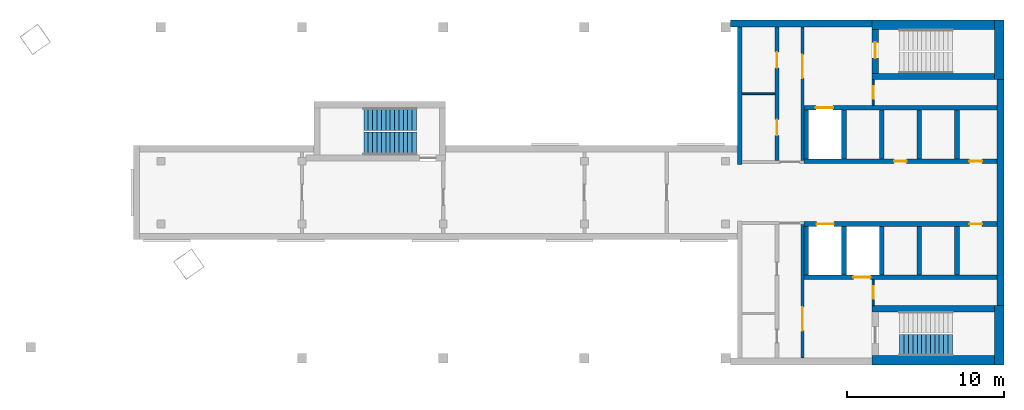
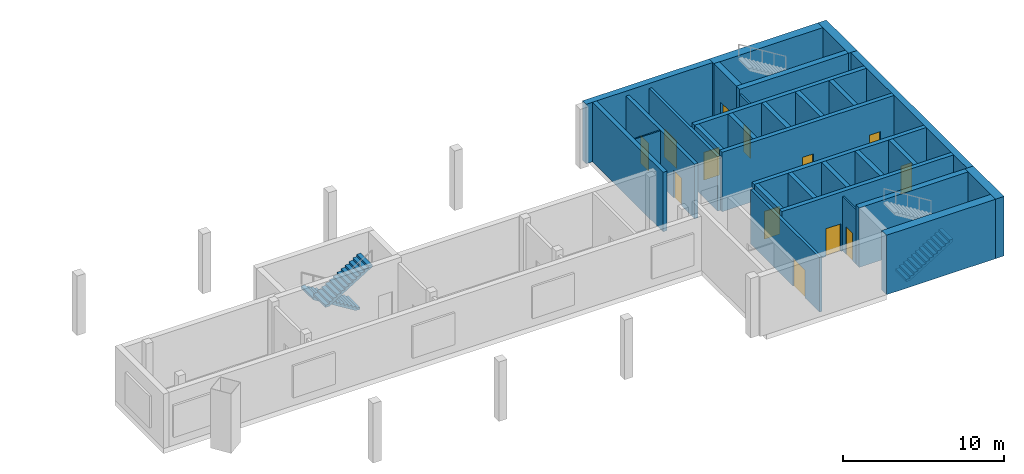
# One storey, part 2 of 4: 30 walls, 13 doors, 3 stair flights, 13 openings, 2 elements without a shape of their own.
"""IFC4 building model written with IfcOpenShell, lengths in metres."""

import ifcopenshell
import ifcopenshell.guid

model = None  # the IFC model being written
_history = None  # IfcOwnerHistory: only IFC2X3 demands one
_inside = {}  # id of a spatial element -> (the spatial element, [elements in it])
_under = {}  # id of a project, library or spatial element -> (it, [spatial elements below it])
_declared = {}  # id of a project -> (the project, [libraries it declares])
_typed = {}  # id of a type object -> (the type object, [elements of that type])
_made_of = {}  # id of a material, layer set ... -> (it, [elements and type objects made of it])


def new_model(schema):
    """Start an empty IFC model of exactly this schema.

    Asked for "IFC4X3", IfcOpenShell would pick the latest addendum, in which some entities
    have other attributes; the version numbers below select the first issue.
    IFC2X3 requires an IfcOwnerHistory on every rooted entity: one is made here for all.
    """
    global model, _history
    if schema == "IFC4X3":
        model = ifcopenshell.file(schema_version=(4, 3, 0, 0))
    else:
        model = ifcopenshell.file(schema=schema)
    _inside.clear()
    _under.clear()
    _declared.clear()
    _typed.clear()
    _made_of.clear()
    _history = None
    if model.schema == "IFC2X3":
        org = make("IfcOrganization", Name="unknown")
        user = make(
            "IfcPersonAndOrganization",
            ThePerson=make("IfcPerson", FamilyName="unknown"),
            TheOrganization=org,
        )
        app = make(
            "IfcApplication",
            ApplicationDeveloper=org,
            Version="unknown",
            ApplicationFullName="unknown",
            ApplicationIdentifier="unknown",
        )
        _history = make(
            "IfcOwnerHistory",
            OwningUser=user,
            OwningApplication=app,
            ChangeAction="ADDED",
            CreationDate=0,
        )
    return model


def make(cls, **values):
    """One entity of the class cls with the attributes given. An attribute that is None is left unset."""
    return model.create_entity(
        cls, **{name: value for name, value in values.items() if value is not None}
    )


def rooted(cls, **values):
    """An entity with a GlobalId (a new one), such as an element, a storey or a relation."""
    return make(cls, GlobalId=ifcopenshell.guid.new(), OwnerHistory=_history, **values)


def si_unit(unit_type, name, prefix=None):
    """IfcSIUnit, for example si_unit("LENGTHUNIT", "METRE", prefix="MILLI")."""
    return make("IfcSIUnit", UnitType=unit_type, Prefix=prefix, Name=name)


def assignment(units):
    """IfcUnitAssignment: the units of a project."""
    return None if units is None else make("IfcUnitAssignment", Units=units)


def point(xyz):
    """IfcCartesianPoint."""
    return None if xyz is None else make("IfcCartesianPoint", Coordinates=xyz)


def direction(xyz):
    """IfcDirection."""
    return None if xyz is None else make("IfcDirection", DirectionRatios=xyz)


def frame(location, z_axis=None, x_axis=None):
    """IfcAxis2Placement3D, a coordinate frame: its origin and axes. An axis left out is left unset."""
    return make(
        "IfcAxis2Placement3D",
        Location=point(location),
        Axis=direction(z_axis),
        RefDirection=direction(x_axis),
    )


def frame_2d(location, x_axis=None):
    """IfcAxis2Placement2D, a coordinate frame in the plane: its origin and x axis."""
    return make(
        "IfcAxis2Placement2D", Location=point(location), RefDirection=direction(x_axis)
    )


def origin():
    """The frame at (0, 0, 0) with its axes left unset."""
    return frame((0.0, 0.0, 0.0))


def place(relative_to, where):
    """IfcLocalPlacement: puts the frame where relative to a parent placement (None: the world)."""
    return make(
        "IfcLocalPlacement", PlacementRelTo=relative_to, RelativePlacement=where
    )


def context(
    kind, dimensions, precision=None, world=None, true_north=None, identifier=None
):
    """IfcGeometricRepresentationContext, for example the 3D "Model" context."""
    return make(
        "IfcGeometricRepresentationContext",
        ContextIdentifier=identifier,
        ContextType=kind,
        CoordinateSpaceDimension=dimensions,
        Precision=precision,
        WorldCoordinateSystem=world,
        TrueNorth=true_north,
    )


def subcontext(parent, identifier, kind, view, scale=None):
    """IfcGeometricRepresentationSubContext, for example "Body" below "Model"."""
    return make(
        "IfcGeometricRepresentationSubContext",
        ContextIdentifier=identifier,
        ContextType=kind,
        ParentContext=parent,
        TargetScale=scale,
        TargetView=view,
    )


def project(units=None, contexts=None):
    """IfcProject with its units and contexts."""
    return rooted(
        "IfcProject",
        Name="project",
        RepresentationContexts=contexts,
        UnitsInContext=assignment(units),
    )


def spatial(cls, under=None, at=None, **own):
    """A site, building, storey or space (cls), placed at a placement, below another one or the project."""
    s = rooted(cls, ObjectPlacement=at, **own)
    if under is not None:
        _under.setdefault(under.id(), (under, []))[1].append(s)
    return s


def polyline(points):
    """IfcPolyline through the points."""
    return make("IfcPolyline", Points=[point(p) for p in points])


def profile(cls, at=None, kind="AREA", **sizes):
    """A parametric profile (cls). Its sizes go by their IFC names, for example OverallWidth=200.0."""
    return make(cls, ProfileType=kind, Position=at, **sizes)


def rectangle(**sizes):
    """IfcRectangleProfileDef."""
    return profile("IfcRectangleProfileDef", **sizes)


def outline(outer, holes=None, kind="AREA"):
    """IfcArbitraryClosedProfileDef: a profile drawn as a closed curve; with holes, ...WithVoids."""
    if holes is None:
        return make("IfcArbitraryClosedProfileDef", ProfileType=kind, OuterCurve=outer)
    return make(
        "IfcArbitraryProfileDefWithVoids",
        ProfileType=kind,
        OuterCurve=outer,
        InnerCurves=holes,
    )


def extrude(swept, where, along, depth):
    """IfcExtrudedAreaSolid: the profile swept, set in the frame where, extruded along a direction by depth."""
    return make(
        "IfcExtrudedAreaSolid",
        SweptArea=swept,
        Position=where,
        ExtrudedDirection=direction(along),
        Depth=depth,
    )


def shape(context_of_items, identifier, shape_type, items):
    """IfcShapeRepresentation: the items that make up one representation, for example the "Body"."""
    return make(
        "IfcShapeRepresentation",
        ContextOfItems=context_of_items,
        RepresentationIdentifier=identifier,
        RepresentationType=shape_type,
        Items=items,
    )


def material(Name=None, Category=None):
    """IfcMaterial."""
    return make("IfcMaterial", Name=Name, Category=Category)


def layer(
    of_material, thickness, ventilated=None, Name=None, Category=None, Priority=None
):
    """IfcMaterialLayer: one layer of a wall or slab, of a material (None: an air gap)."""
    return make(
        "IfcMaterialLayer",
        Material=of_material,
        LayerThickness=thickness,
        IsVentilated=ventilated,
        Name=Name,
        Category=Category,
        Priority=Priority,
    )


def layer_set(layers, Name=None):
    """IfcMaterialLayerSet."""
    return make("IfcMaterialLayerSet", MaterialLayers=layers, LayerSetName=Name)


def made_of(thing, what):
    """Note that an element or type object is made of a material, layer set ...; save() writes the relation."""
    if what is not None:
        _made_of.setdefault(what.id(), (what, []))[1].append(thing)
    return thing


def type_object(cls, material=None, **own):
    """A type object (cls), such as IfcWallType, which elements share."""
    return made_of(rooted(cls, **own), material)


def element(
    cls,
    number,
    at=None,
    inside=None,
    cuts=None,
    type_object=None,
    material=None,
    context=None,
    identifier="Body",
    shape_type=None,
    held_by="IfcProductDefinitionShape",
    body=None,
    shapes=None,
    **own,
):
    """One element of the class cls, such as IfcWall. Its Tag is "e" and its number.

    at: its placement. inside: the storey or other place that contains it. cuts: it is an
    opening in that element (IfcRelVoidsElement). A single representation is given by context,
    identifier, shape_type and body (its items); several are given by shapes. held_by: the class
    of the entity that holds the representations. save() writes the other relations.
    """
    e = rooted(cls, Tag="e%d" % number, ObjectPlacement=at, **own)
    if body is not None:
        shapes = [shape(context, identifier, shape_type, body)]
    if shapes is not None:
        e.Representation = make(held_by, Representations=shapes)
    if inside is not None:
        _inside.setdefault(inside.id(), (inside, []))[1].append(e)
    if cuts is not None:
        rooted(
            "IfcRelVoidsElement", RelatingBuildingElement=cuts, RelatedOpeningElement=e
        )
    if type_object is not None:
        _typed.setdefault(type_object.id(), (type_object, []))[1].append(e)
    return made_of(e, material)


def fill(opening, filler):
    """IfcRelFillsElement: the door or window that sits in an opening."""
    return rooted(
        "IfcRelFillsElement",
        RelatingOpeningElement=opening,
        RelatedBuildingElement=filler,
    )


def aggregate(whole, parts):
    """IfcRelAggregates: a whole, such as a stair, and the parts it consists of."""
    return rooted("IfcRelAggregates", RelatingObject=whole, RelatedObjects=parts)


def save(model, path):
    """Write the relations noted so far, then the file.

    IfcRelAggregates (storeys below a building ...), IfcRelContainedInSpatialStructure (elements
    in a storey), IfcRelDefinesByType, IfcRelAssociatesMaterial and IfcRelDeclares: one each for
    every whole, place, type object, material and project.
    """
    for whole, parts in _under.values():
        aggregate(whole, parts)
    for where, things in _inside.values():
        rooted(
            "IfcRelContainedInSpatialStructure",
            RelatedElements=things,
            RelatingStructure=where,
        )
    for kind, things in _typed.values():
        rooted("IfcRelDefinesByType", RelatedObjects=things, RelatingType=kind)
    for what, things in _made_of.values():
        rooted("IfcRelAssociatesMaterial", RelatedObjects=things, RelatingMaterial=what)
    for by, libraries in _declared.values():
        rooted("IfcRelDeclares", RelatingContext=by, RelatedDefinitions=libraries)
    model.write(path)


model = new_model("IFC4")

# Units and contexts
model_context = context("Model", 3, precision=1e-05, world=origin(), true_north=direction((0.0, 1.0)))
body_context = subcontext(model_context, "Body", "Model", "MODEL_VIEW")
ifc_project = project(units=[si_unit("LENGTHUNIT", "METRE"), si_unit("AREAUNIT", "SQUARE_METRE"), si_unit("VOLUMEUNIT", "CUBIC_METRE"), si_unit("PLANEANGLEUNIT", "RADIAN"), si_unit("MASSUNIT", "GRAM", prefix="KILO")], contexts=[model_context])

# Site, building, storey
site_placement = place(None, origin())
site = spatial("IfcSite", under=ifc_project, at=site_placement, CompositionType="ELEMENT")
building_placement = place(site_placement, origin())
building = spatial("IfcBuilding", under=site, at=building_placement, Name="Skarvind Civic Tower", CompositionType="ELEMENT")
storey_placement = place(building_placement, frame((0.0, 0.0, 291.0)))
storey = spatial("IfcBuildingStorey", under=building, at=storey_placement, Name="L69", CompositionType="ELEMENT", Elevation=291.0)

# Wall, opening, door
ifc_material_1 = material(Name="Fire-rated masonry partition", Category="masonry")
ifc_layer_1 = layer(ifc_material_1, 0.199951171875)
ifc_layer_set_1 = layer_set([ifc_layer_1], Name="Core enclosure wall 200")
wall_type_1 = type_object("IfcWallType", Name="Core enclosure wall 200", PredefinedType="PARTITIONING", material=ifc_layer_set_1)
wall_1_placement = place(storey_placement, frame((95.14990234375, 117.449951171875, 0.0), z_axis=(0.0, 0.0, 1.0), x_axis=(0.0, 1.0, 0.0)))
wall_1 = element("IfcWall", 1, at=wall_1_placement, inside=storey, type_object=wall_type_1, Name="Core wall C1", PredefinedType="PARTITIONING", context=body_context, shape_type="SweptSolid", body=[
    extrude(rectangle(XDim=8.5, YDim=0.199951171875, at=frame_2d((4.25, 0.0))), origin(), (0.0, 0.0, 1.0), 4.125),
])
opening_1_placement = place(wall_1_placement, frame((1.75, 0.0, 0.0)))
opening_1 = element("IfcOpeningElement", 2, at=opening_1_placement, cuts=wall_1, Name="Opening D-L69-C1-06", PredefinedType="OPENING", context=body_context, shape_type="SweptSolid", body=[
    extrude(rectangle(XDim=1.5, YDim=2.10009765625, at=frame_2d((0.75, 1.050048828125))), frame((0.0, 0.10986328125, 0.0), z_axis=(0.0, -1.0, 0.0), x_axis=(1.0, 0.0, 0.0)), (0.0, 0.0, 1.0), 0.219970703125),
])
ifc_material_2 = material(Name="Fire-rated steel door", Category="steel")
door_type_1 = type_object("IfcDoorType", Name="Fire door 1500", OperationType="NOTDEFINED", PredefinedType="DOOR", material=ifc_material_2)
door_1_placement = place(opening_1_placement, origin())
door_1 = element("IfcDoor", 3, at=door_1_placement, inside=storey, type_object=door_type_1, Name="Fire door", OperationType="DOUBLE_DOOR_SINGLE_SWING", OverallHeight=2.10009765625, OverallWidth=1.5, PredefinedType="DOOR", context=body_context, shape_type="SweptSolid", body=[
    extrude(rectangle(XDim=1.5, YDim=2.10009765625, at=frame_2d((0.75, 1.050048828125))), frame((0.0, 0.02490234375, 0.0), z_axis=(0.0, -1.0, 0.0), x_axis=(1.0, 0.0, 0.0)), (0.0, 0.0, 1.0), 0.050048828125),
])
fill(opening_1, door_1)

wall_2_placement = place(storey_placement, frame((95.14990234375, 130.050048828125, 0.0), z_axis=(0.0, 0.0, 1.0), x_axis=(0.0, 1.0, 0.0)))
wall_2 = element("IfcWall", 4, at=wall_2_placement, inside=storey, type_object=wall_type_1, Name="Core wall C1", PredefinedType="PARTITIONING", context=body_context, shape_type="SweptSolid", body=[
    extrude(rectangle(XDim=8.5, YDim=0.199951171875, at=frame_2d((4.25, 0.0))), origin(), (0.0, 0.0, 1.0), 4.125),
])
opening_2_placement = place(wall_2_placement, frame((5.25, 0.0, 0.0)))
opening_2 = element("IfcOpeningElement", 5, at=opening_2_placement, cuts=wall_2, Name="Opening D-L69-C1-12", PredefinedType="OPENING", context=body_context, shape_type="SweptSolid", body=[
    extrude(rectangle(XDim=1.5, YDim=2.10009765625, at=frame_2d((0.75, 1.050048828125))), frame((0.0, 0.10986328125, 0.0), z_axis=(0.0, -1.0, 0.0), x_axis=(1.0, 0.0, 0.0)), (0.0, 0.0, 1.0), 0.219970703125),
])
door_2_placement = place(opening_2_placement, origin())
door_2 = element("IfcDoor", 6, at=door_2_placement, inside=storey, type_object=door_type_1, Name="Fire door", OperationType="DOUBLE_DOOR_SINGLE_SWING", OverallHeight=2.10009765625, OverallWidth=1.5, PredefinedType="DOOR", context=body_context, shape_type="SweptSolid", body=[
    extrude(rectangle(XDim=1.5, YDim=2.10009765625, at=frame_2d((0.75, 1.050048828125))), frame((0.0, 0.02490234375, 0.0), z_axis=(0.0, -1.0, 0.0), x_axis=(1.0, 0.0, 0.0)), (0.0, 0.0, 1.0), 0.050048828125),
])
fill(opening_2, door_2)

# Wall
ifc_material_3 = material(Name="Fire-rated plasterboard partition")
ifc_layer_2 = layer(ifc_material_3, 0.10009765625)
ifc_layer_set_2 = layer_set([ifc_layer_2], Name="Core partition wall 100")
wall_type_2 = type_object("IfcWallType", Name="Core partition wall 100", PredefinedType="PARTITIONING", material=ifc_layer_set_2)
wall_3_placement = place(storey_placement, frame((91.300048828125, 134.300048828125, 0.0), z_axis=(0.0, 0.0, 1.0), x_axis=(1.0, 0.0, 0.0)))
element("IfcWall", 7, at=wall_3_placement, inside=storey, type_object=wall_type_2, Name="Core wall C1", PredefinedType="PARTITIONING", context=body_context, shape_type="SweptSolid", body=[
    extrude(rectangle(XDim=2.099853515625, YDim=0.10009765625, at=frame_2d((1.0498046875, 0.0))), origin(), (0.0, 0.0, 1.0), 4.125),
])

# Wall, openings, doors
ifc_material_4 = material(Name="Concrete C60", Category="concrete")
ifc_layer_3 = layer(ifc_material_4, 0.300048828125)
ifc_layer_set_3 = layer_set([ifc_layer_3], Name="Core wall 300 C60")
wall_type_3 = type_object("IfcWallType", Name="Core wall 300 C60", PredefinedType="SHEAR", material=ifc_layer_set_3)
wall_4_placement = place(storey_placement, frame((107.550048828125, 130.0, 0.0), z_axis=(0.0, 0.0, 1.0), x_axis=(-1.0, 0.0, 0.0)))
wall_4 = element("IfcWall", 8, at=wall_4_placement, inside=storey, type_object=wall_type_3, Name="Core wall C1 south lift row front L69", PredefinedType="SHEAR", context=body_context, shape_type="SweptSolid", body=[
    extrude(rectangle(XDim=12.300048828125, YDim=0.300048828125, at=frame_2d((6.14990234375, 0.0))), origin(), (0.0, 0.0, 1.0), 4.5),
])
opening_3_placement = place(wall_4_placement, frame((0.949951171875, 0.0, 0.0)))
opening_3 = element("IfcOpeningElement", 9, at=opening_3_placement, cuts=wall_4, Name="Opening D-L69-C1-03", PredefinedType="OPENING", context=body_context, shape_type="SweptSolid", body=[
    extrude(rectangle(XDim=0.800048828125, YDim=2.10009765625, at=frame_2d((0.39990234375, 1.050048828125))), frame((0.0, 0.159912109375, 0.0), z_axis=(0.0, -1.0, 0.0), x_axis=(1.0, 0.0, 0.0)), (0.0, 0.0, 1.0), 0.320068359375),
])
opening_4_placement = place(wall_4_placement, frame((5.75, 0.0, 0.0)))
opening_4 = element("IfcOpeningElement", 10, at=opening_4_placement, cuts=wall_4, Name="Opening D-L69-C1-04", PredefinedType="OPENING", context=body_context, shape_type="SweptSolid", body=[
    extrude(rectangle(XDim=0.800048828125, YDim=2.10009765625, at=frame_2d((0.39990234375, 1.050048828125))), frame((0.0, 0.159912109375, 0.0), z_axis=(0.0, -1.0, 0.0), x_axis=(1.0, 0.0, 0.0)), (0.0, 0.0, 1.0), 0.320068359375),
])
door_type_2 = type_object("IfcDoorType", Name="Core riser door 800", OperationType="NOTDEFINED", PredefinedType="DOOR", material=ifc_material_2)
door_3_placement = place(opening_3_placement, origin())
door_3 = element("IfcDoor", 11, at=door_3_placement, inside=storey, type_object=door_type_2, Name="Riser door", OperationType="SINGLE_SWING_RIGHT", OverallHeight=2.10009765625, OverallWidth=0.800048828125, PredefinedType="DOOR", context=body_context, shape_type="SweptSolid", body=[
    extrude(rectangle(XDim=0.800048828125, YDim=2.10009765625, at=frame_2d((0.39990234375, 1.050048828125))), frame((0.0, 0.02490234375, 0.0), z_axis=(0.0, -1.0, 0.0), x_axis=(1.0, 0.0, 0.0)), (0.0, 0.0, 1.0), 0.050048828125),
])
fill(opening_3, door_3)
door_4_placement = place(opening_4_placement, origin())
door_4 = element("IfcDoor", 12, at=door_4_placement, inside=storey, type_object=door_type_2, Name="Riser door", OperationType="SINGLE_SWING_LEFT", OverallHeight=2.10009765625, OverallWidth=0.800048828125, PredefinedType="DOOR", context=body_context, shape_type="SweptSolid", body=[
    extrude(rectangle(XDim=0.800048828125, YDim=2.10009765625, at=frame_2d((0.39990234375, 1.050048828125))), frame((0.0, 0.02490234375, 0.0), z_axis=(0.0, -1.0, 0.0), x_axis=(1.0, 0.0, 0.0)), (0.0, 0.0, 1.0), 0.050048828125),
])
fill(opening_4, door_4)

# Wall, opening, door
wall_5_placement = place(storey_placement, frame((107.550048828125, 133.39990234375, 0.0), z_axis=(0.0, 0.0, 1.0), x_axis=(-1.0, 0.0, 0.0)))
wall_5 = element("IfcWall", 13, at=wall_5_placement, inside=storey, type_object=wall_type_3, Name="Core wall C1 south lift row back L69", PredefinedType="SHEAR", context=body_context, shape_type="SweptSolid", body=[
    extrude(rectangle(XDim=12.300048828125, YDim=0.300048828125, at=frame_2d((6.14990234375, 0.0))), origin(), (0.0, 0.0, 1.0), 4.5),
])
opening_5_placement = place(wall_5_placement, frame((10.449951171875, 0.0, 0.0)))
opening_5 = element("IfcOpeningElement", 14, at=opening_5_placement, cuts=wall_5, Name="Opening LD71110", PredefinedType="OPENING", context=body_context, shape_type="SweptSolid", body=[
    extrude(rectangle(XDim=1.10009765625, YDim=2.10009765625, at=frame_2d((0.550048828125, 1.050048828125))), frame((0.0, 0.159912109375, 0.0), z_axis=(0.0, -1.0, 0.0), x_axis=(1.0, 0.0, 0.0)), (0.0, 0.0, 1.0), 0.320068359375),
])
ifc_material_5 = material(Name="Stainless steel landing door", Category="steel")
door_type_3 = type_object("IfcDoorType", Name="Lift landing door 1100", OperationType="DOUBLE_DOOR_SLIDING", PredefinedType="DOOR", material=ifc_material_5)
door_5_placement = place(opening_5_placement, origin())
door_5 = element("IfcDoor", 15, at=door_5_placement, inside=storey, type_object=door_type_3, Name="Lift landing door", OperationType="DOUBLE_DOOR_SLIDING", OverallHeight=2.10009765625, OverallWidth=1.10009765625, PredefinedType="DOOR", context=body_context, shape_type="SweptSolid", body=[
    extrude(rectangle(XDim=1.10009765625, YDim=2.10009765625, at=frame_2d((0.550048828125, 1.050048828125))), frame((0.0, 0.02490234375, 0.0), z_axis=(0.0, -1.0, 0.0), x_axis=(1.0, 0.0, 0.0)), (0.0, 0.0, 1.0), 0.050048828125),
])
fill(opening_5, door_5)

# Walls
for number, where, z_axis, x_axis, name in (
    (16, (105.0, 133.25, 0.0), (0.0, 0.0, 1.0), (0.0, -1.0, 0.0), "Core wall C1 south lift row division 1 L69"),
    (17, (102.60009765625, 133.25, 0.0), (0.0, 0.0, 1.0), (0.0, -1.0, 0.0), "Core wall C1 south lift row division 2 L69"),
    (18, (100.199951171875, 133.25, 0.0), (0.0, 0.0, 1.0), (0.0, -1.0, 0.0), "Core wall C1 south lift row division 3 L69"),
    (19, (97.800048828125, 133.25, 0.0), (0.0, 0.0, 1.0), (0.0, -1.0, 0.0), "Core wall C1 south lift row division 4 L69"),
    (20, (95.39990234375, 133.25, 0.0), (0.0, 0.0, 1.0), (0.0, -1.0, 0.0), "Core wall C1 south lift row division 5 L69"),
):
    element("IfcWall", number, at=place(storey_placement, frame(where, z_axis=z_axis, x_axis=x_axis)), inside=storey, type_object=wall_type_3, Name=name, PredefinedType="SHEAR", context=body_context, shape_type="SweptSolid", body=[
        extrude(rectangle(XDim=3.10009765625, YDim=0.300048828125, at=frame_2d((1.550048828125, 0.0))), origin(), (0.0, 0.0, 1.0), 4.5),
    ])

# Wall, openings, doors
wall_6_placement = place(storey_placement, frame((107.550048828125, 126.0, 0.0), z_axis=(0.0, 0.0, 1.0), x_axis=(-1.0, 0.0, 0.0)))
wall_6 = element("IfcWall", 21, at=wall_6_placement, inside=storey, type_object=wall_type_3, Name="Core wall C1 north lift row front L69", PredefinedType="SHEAR", context=body_context, shape_type="SweptSolid", body=[
    extrude(rectangle(XDim=12.300048828125, YDim=0.300048828125, at=frame_2d((6.14990234375, 0.0))), origin(), (0.0, 0.0, 1.0), 4.5),
])
opening_6_placement = place(wall_6_placement, frame((10.39990234375, 0.0, 0.0)))
opening_6 = element("IfcOpeningElement", 22, at=opening_6_placement, cuts=wall_6, Name="Opening LD71105", PredefinedType="OPENING", context=body_context, shape_type="SweptSolid", body=[
    extrude(rectangle(XDim=1.10009765625, YDim=2.10009765625, at=frame_2d((0.550048828125, 1.050048828125))), frame((0.0, 0.159912109375, 0.0), z_axis=(0.0, -1.0, 0.0), x_axis=(1.0, 0.0, 0.0)), (0.0, 0.0, 1.0), 0.320068359375),
])
opening_7_placement = place(wall_6_placement, frame((0.949951171875, 0.0, 0.0)))
opening_7 = element("IfcOpeningElement", 23, at=opening_7_placement, cuts=wall_6, Name="Opening D-L69-C1-02", PredefinedType="OPENING", context=body_context, shape_type="SweptSolid", body=[
    extrude(rectangle(XDim=0.800048828125, YDim=2.10009765625, at=frame_2d((0.39990234375, 1.050048828125))), frame((0.0, 0.159912109375, 0.0), z_axis=(0.0, -1.0, 0.0), x_axis=(1.0, 0.0, 0.0)), (0.0, 0.0, 1.0), 0.320068359375),
])
door_6_placement = place(opening_7_placement, origin())
door_6 = element("IfcDoor", 24, at=door_6_placement, inside=storey, type_object=door_type_2, Name="Riser door", OperationType="SINGLE_SWING_LEFT", OverallHeight=2.10009765625, OverallWidth=0.800048828125, PredefinedType="DOOR", context=body_context, shape_type="SweptSolid", body=[
    extrude(rectangle(XDim=0.800048828125, YDim=2.10009765625, at=frame_2d((0.39990234375, 1.050048828125))), frame((0.0, 0.02490234375, 0.0), z_axis=(0.0, -1.0, 0.0), x_axis=(1.0, 0.0, 0.0)), (0.0, 0.0, 1.0), 0.050048828125),
])
fill(opening_7, door_6)
door_7_placement = place(opening_6_placement, origin())
door_7 = element("IfcDoor", 25, at=door_7_placement, inside=storey, type_object=door_type_3, Name="Lift landing door", OperationType="DOUBLE_DOOR_SLIDING", OverallHeight=2.10009765625, OverallWidth=1.10009765625, PredefinedType="DOOR", context=body_context, shape_type="SweptSolid", body=[
    extrude(rectangle(XDim=1.10009765625, YDim=2.10009765625, at=frame_2d((0.550048828125, 1.050048828125))), frame((0.0, 0.02490234375, 0.0), z_axis=(0.0, -1.0, 0.0), x_axis=(1.0, 0.0, 0.0)), (0.0, 0.0, 1.0), 0.050048828125),
])
fill(opening_6, door_7)

# Wall, opening, door
wall_7_placement = place(storey_placement, frame((107.550048828125, 122.60009765625, 0.0), z_axis=(0.0, 0.0, 1.0), x_axis=(-1.0, 0.0, 0.0)))
wall_7 = element("IfcWall", 26, at=wall_7_placement, inside=storey, type_object=wall_type_3, Name="Core wall C1 north lift row back L69", PredefinedType="SHEAR", context=body_context, shape_type="SweptSolid", body=[
    extrude(rectangle(XDim=12.300048828125, YDim=0.300048828125, at=frame_2d((6.14990234375, 0.0))), origin(), (0.0, 0.0, 1.0), 4.5),
])
opening_8_placement = place(wall_7_placement, frame((8.050048828125, 0.0, 0.0)))
opening_8 = element("IfcOpeningElement", 27, at=opening_8_placement, cuts=wall_7, Name="Opening LD71104", PredefinedType="OPENING", context=body_context, shape_type="SweptSolid", body=[
    extrude(rectangle(XDim=1.10009765625, YDim=2.10009765625, at=frame_2d((0.550048828125, 1.050048828125))), frame((0.0, 0.159912109375, 0.0), z_axis=(0.0, -1.0, 0.0), x_axis=(1.0, 0.0, 0.0)), (0.0, 0.0, 1.0), 0.320068359375),
])
door_8_placement = place(opening_8_placement, origin())
door_8 = element("IfcDoor", 28, at=door_8_placement, inside=storey, type_object=door_type_3, Name="Lift landing door", OperationType="DOUBLE_DOOR_SLIDING", OverallHeight=2.10009765625, OverallWidth=1.10009765625, PredefinedType="DOOR", context=body_context, shape_type="SweptSolid", body=[
    extrude(rectangle(XDim=1.10009765625, YDim=2.10009765625, at=frame_2d((0.550048828125, 1.050048828125))), frame((0.0, 0.02490234375, 0.0), z_axis=(0.0, -1.0, 0.0), x_axis=(1.0, 0.0, 0.0)), (0.0, 0.0, 1.0), 0.050048828125),
])
fill(opening_8, door_8)

# Walls
for number, where, z_axis, x_axis, name in (
    (29, (105.0, 125.85009765625, 0.0), (0.0, 0.0, 1.0), (0.0, -1.0, 0.0), "Core wall C1 north lift row division 1 L69"),
    (30, (102.60009765625, 125.85009765625, 0.0), (0.0, 0.0, 1.0), (0.0, -1.0, 0.0), "Core wall C1 north lift row division 2 L69"),
    (31, (100.199951171875, 125.85009765625, 0.0), (0.0, 0.0, 1.0), (0.0, -1.0, 0.0), "Core wall C1 north lift row division 3 L69"),
    (32, (97.800048828125, 125.85009765625, 0.0), (0.0, 0.0, 1.0), (0.0, -1.0, 0.0), "Core wall C1 north lift row division 4 L69"),
    (33, (95.39990234375, 125.85009765625, 0.0), (0.0, 0.0, 1.0), (0.0, -1.0, 0.0), "Core wall C1 north lift row division 5 L69"),
):
    element("IfcWall", number, at=place(storey_placement, frame(where, z_axis=z_axis, x_axis=x_axis)), inside=storey, type_object=wall_type_3, Name=name, PredefinedType="SHEAR", context=body_context, shape_type="SweptSolid", body=[
        extrude(rectangle(XDim=3.10009765625, YDim=0.300048828125, at=frame_2d((1.550048828125, 0.0))), origin(), (0.0, 0.0, 1.0), 4.5),
    ])
wall_8_placement = place(storey_placement, frame((91.14990234375, 138.550048828125, 0.0), z_axis=(0.0, 0.0, 1.0), x_axis=(0.0, -1.0, 0.0)))
element("IfcWall", 34, at=wall_8_placement, inside=storey, type_object=wall_type_3, Name="Core wall C1 south inner face L69", PredefinedType="SHEAR", context=body_context, shape_type="SweptSolid", body=[
    extrude(rectangle(XDim=8.75, YDim=0.300048828125, at=frame_2d((4.375, 0.0))), origin(), (0.0, 0.0, 1.0), 4.5),
])
ifc_layer_4 = layer(ifc_material_4, 0.39990234375)
ifc_layer_set_4 = layer_set([ifc_layer_4], Name="Core wall 400 C60")
wall_type_4 = type_object("IfcWallType", Name="Core wall 400 C60", PredefinedType="SHEAR", material=ifc_layer_set_4)
wall_9_placement = place(storey_placement, frame((107.39990234375, 135.39990234375, 0.0), z_axis=(0.0, 0.0, 1.0), x_axis=(-1.0, 0.0, 0.0)))
element("IfcWall", 35, at=wall_9_placement, inside=storey, type_object=wall_type_4, Name="Core wall C1 south stair inner L69", PredefinedType="SHEAR", context=body_context, shape_type="SweptSolid", body=[
    extrude(rectangle(XDim=7.7998046875, YDim=0.39990234375, at=frame_2d((3.89990234375, 0.0))), origin(), (0.0, 0.0, 1.0), 4.5),
])

# Wall, opening, door
wall_10_placement = place(storey_placement, frame((99.800048828125, 138.39990234375, 0.0), z_axis=(0.0, 0.0, 1.0), x_axis=(0.0, -1.0, 0.0)))
wall_10 = element("IfcWall", 36, at=wall_10_placement, inside=storey, type_object=wall_type_4, Name="Core wall C1 south stair end L69", PredefinedType="SHEAR", context=body_context, shape_type="SweptSolid", body=[
    extrude(rectangle(XDim=2.7998046875, YDim=0.39990234375, at=frame_2d((1.39990234375, 0.0))), origin(), (0.0, 0.0, 1.0), 4.5),
])
opening_9_placement = place(wall_10_placement, frame((0.824951171875, 0.0, 0.0)))
opening_9 = element("IfcOpeningElement", 37, at=opening_9_placement, cuts=wall_10, Name="Opening D-L69-C1-13", PredefinedType="OPENING", context=body_context, shape_type="SweptSolid", body=[
    extrude(rectangle(XDim=1.0, YDim=2.10009765625, at=frame_2d((0.5, 1.050048828125))), frame((0.0, 0.2099609375, 0.0), z_axis=(0.0, -1.0, 0.0), x_axis=(1.0, 0.0, 0.0)), (0.0, 0.0, 1.0), 0.419921875),
])
door_type_4 = type_object("IfcDoorType", Name="Fire door 1000", OperationType="NOTDEFINED", PredefinedType="DOOR", material=ifc_material_2)
door_9_placement = place(opening_9_placement, origin())
door_9 = element("IfcDoor", 38, at=door_9_placement, inside=storey, type_object=door_type_4, Name="Fire door", OperationType="SINGLE_SWING_RIGHT", OverallHeight=2.10009765625, OverallWidth=1.0, PredefinedType="DOOR", context=body_context, shape_type="SweptSolid", body=[
    extrude(rectangle(XDim=1.0, YDim=2.10009765625, at=frame_2d((0.5, 1.050048828125))), frame((0.0, 0.02490234375, 0.0), z_axis=(0.0, -1.0, 0.0), x_axis=(1.0, 0.0, 0.0)), (0.0, 0.0, 1.0), 0.050048828125),
])
fill(opening_9, door_9)

# Walls
wall_11_placement = place(storey_placement, frame((107.39990234375, 120.60009765625, 0.0), z_axis=(0.0, 0.0, 1.0), x_axis=(-1.0, 0.0, 0.0)))
element("IfcWall", 39, at=wall_11_placement, inside=storey, type_object=wall_type_4, Name="Core wall C1 north stair inner L69", PredefinedType="SHEAR", context=body_context, shape_type="SweptSolid", body=[
    extrude(rectangle(XDim=7.7998046875, YDim=0.39990234375, at=frame_2d((3.89990234375, 0.0))), origin(), (0.0, 0.0, 1.0), 4.5),
])
ifc_layer_5 = layer(ifc_material_4, 0.449951171875)
ifc_layer_set_5 = layer_set([ifc_layer_5], Name="Core wall 450 C60")
wall_type_5 = type_object("IfcWallType", Name="Core wall 450 C60", PredefinedType="SHEAR", material=ifc_layer_set_5)
wall_12_placement = place(storey_placement, frame((107.77490234375, 135.199951171875, 0.0), z_axis=(0.0, 0.0, 1.0), x_axis=(0.0, -1.0, 0.0)))
element("IfcWall", 40, at=wall_12_placement, inside=storey, type_object=wall_type_5, Name="Core wall C1 tip between the stairs L69", PredefinedType="SHEAR", context=body_context, shape_type="SweptSolid", body=[
    extrude(rectangle(XDim=14.39990234375, YDim=0.449951171875, at=frame_2d((7.199951171875, 0.0))), origin(), (0.0, 0.0, 1.0), 4.5),
])
wall_13_placement = place(storey_placement, frame((99.60009765625, 138.77490234375, 0.0), z_axis=(0.0, 0.0, 1.0), x_axis=(-1.0, 0.0, 0.0)))
element("IfcWall", 41, at=wall_13_placement, inside=storey, type_object=wall_type_5, Name="Core wall C1 south side L69", PredefinedType="SHEAR", context=body_context, shape_type="SweptSolid", body=[
    extrude(rectangle(XDim=9.050048828125, YDim=0.449951171875, at=frame_2d((4.52490234375, 0.0))), origin(), (0.0, 0.0, 1.0), 4.5),
])
ifc_layer_6 = layer(ifc_material_4, 0.60009765625)
ifc_layer_set_6 = layer_set([ifc_layer_6], Name="Core wall 600 C60")
wall_type_6 = type_object("IfcWallType", Name="Core wall 600 C60", PredefinedType="SHEAR", material=ifc_layer_set_6)
for number, where, z_axis, x_axis, name in (
    (42, (107.699951171875, 139.0, 0.0), (0.0, 0.0, 1.0), (0.0, -1.0, 0.0), "Core wall C1 tip at the south stair L69"),
    (43, (107.699951171875, 120.800048828125, 0.0), (0.0, 0.0, 1.0), (0.0, -1.0, 0.0), "Core wall C1 tip at the north stair L69"),
):
    element("IfcWall", number, at=place(storey_placement, frame(where, z_axis=z_axis, x_axis=x_axis)), inside=storey, type_object=wall_type_6, Name=name, PredefinedType="SHEAR", context=body_context, shape_type="SweptSolid", body=[
        extrude(rectangle(XDim=3.800048828125, YDim=0.60009765625, at=frame_2d((1.89990234375, 0.0))), origin(), (0.0, 0.0, 1.0), 4.5),
    ])
for number, where, z_axis, x_axis, name in (
    (44, (107.39990234375, 138.699951171875, 0.0), (0.0, 0.0, 1.0), (-1.0, 0.0, 0.0), "Core wall C1 south side at the stair L69"),
    (45, (107.39990234375, 117.300048828125, 0.0), (0.0, 0.0, 1.0), (-1.0, 0.0, 0.0), "Core wall C1 north side at the stair L69"),
):
    element("IfcWall", number, at=place(storey_placement, frame(where, z_axis=z_axis, x_axis=x_axis)), inside=storey, type_object=wall_type_6, Name=name, PredefinedType="SHEAR", context=body_context, shape_type="SweptSolid", body=[
        extrude(rectangle(XDim=7.7998046875, YDim=0.60009765625, at=frame_2d((3.89990234375, 0.0))), origin(), (0.0, 0.0, 1.0), 4.5),
    ])

# Wall, opening, door
ifc_layer_7 = layer(ifc_material_1, 0.125)
ifc_layer_set_7 = layer_set([ifc_layer_7], Name="Riser wall 125")
wall_type_7 = type_object("IfcWallType", Name="Riser wall 125", PredefinedType="PARTITIONING", material=ifc_layer_set_7)
wall_14_placement = place(storey_placement, frame((99.66259765625, 120.800048828125, 0.0), z_axis=(0.0, 0.0, 1.0), x_axis=(0.0, 1.0, 0.0)))
wall_14 = element("IfcWall", 46, at=wall_14_placement, inside=storey, type_object=wall_type_7, Name="Core wall C1", PredefinedType="PARTITIONING", context=body_context, shape_type="SweptSolid", body=[
    extrude(rectangle(XDim=1.64990234375, YDim=0.125, at=frame_2d((0.824951171875, 0.0))), origin(), (0.0, 0.0, 1.0), 4.125),
])
opening_10_placement = place(wall_14_placement, frame((0.425048828125, 0.0, 0.0)))
opening_10 = element("IfcOpeningElement", 47, at=opening_10_placement, cuts=wall_14, Name="Opening D-L69-C1-08", PredefinedType="OPENING", context=body_context, shape_type="SweptSolid", body=[
    extrude(rectangle(XDim=0.800048828125, YDim=2.10009765625, at=frame_2d((0.39990234375, 1.050048828125))), frame((0.0, 0.072509765625, 0.0), z_axis=(0.0, -1.0, 0.0), x_axis=(1.0, 0.0, 0.0)), (0.0, 0.0, 1.0), 0.14501953125),
])
door_10_placement = place(opening_10_placement, origin())
door_10 = element("IfcDoor", 48, at=door_10_placement, inside=storey, type_object=door_type_2, Name="Riser door", OperationType="SINGLE_SWING_RIGHT", OverallHeight=2.10009765625, OverallWidth=0.800048828125, PredefinedType="DOOR", context=body_context, shape_type="SweptSolid", body=[
    extrude(rectangle(XDim=0.800048828125, YDim=2.10009765625, at=frame_2d((0.39990234375, 1.050048828125))), frame((0.0, 0.02490234375, 0.0), z_axis=(0.0, -1.0, 0.0), x_axis=(1.0, 0.0, 0.0)), (0.0, 0.0, 1.0), 0.050048828125),
])
fill(opening_10, door_10)

wall_15_placement = place(storey_placement, frame((99.66259765625, 133.550048828125, 0.0), z_axis=(0.0, 0.0, 1.0), x_axis=(0.0, 1.0, 0.0)))
wall_15 = element("IfcWall", 49, at=wall_15_placement, inside=storey, type_object=wall_type_7, Name="Core wall C1", PredefinedType="PARTITIONING", context=body_context, shape_type="SweptSolid", body=[
    extrude(rectangle(XDim=1.64990234375, YDim=0.125, at=frame_2d((0.824951171875, 0.0))), origin(), (0.0, 0.0, 1.0), 4.125),
])
opening_11_placement = place(wall_15_placement, frame((0.425048828125, 0.0, 0.0)))
opening_11 = element("IfcOpeningElement", 50, at=opening_11_placement, cuts=wall_15, Name="Opening D-L69-C1-14", PredefinedType="OPENING", context=body_context, shape_type="SweptSolid", body=[
    extrude(rectangle(XDim=0.800048828125, YDim=2.10009765625, at=frame_2d((0.39990234375, 1.050048828125))), frame((0.0, 0.072509765625, 0.0), z_axis=(0.0, -1.0, 0.0), x_axis=(1.0, 0.0, 0.0)), (0.0, 0.0, 1.0), 0.14501953125),
])
door_11_placement = place(opening_11_placement, origin())
door_11 = element("IfcDoor", 51, at=door_11_placement, inside=storey, type_object=door_type_2, Name="Riser door", OperationType="SINGLE_SWING_LEFT", OverallHeight=2.10009765625, OverallWidth=0.800048828125, PredefinedType="DOOR", context=body_context, shape_type="SweptSolid", body=[
    extrude(rectangle(XDim=0.800048828125, YDim=2.10009765625, at=frame_2d((0.39990234375, 1.050048828125))), frame((0.0, 0.02490234375, 0.0), z_axis=(0.0, -1.0, 0.0), x_axis=(1.0, 0.0, 0.0)), (0.0, 0.0, 1.0), 0.050048828125),
])
fill(opening_11, door_11)

# Wall, openings, doors
ifc_layer_8 = layer(ifc_material_1, 0.25)
ifc_layer_set_8 = layer_set([ifc_layer_8], Name="Service block wall 250")
wall_type_8 = type_object("IfcWallType", Name="Service block wall 250", PredefinedType="PARTITIONING", material=ifc_layer_set_8)
wall_16_placement = place(storey_placement, frame((93.52490234375, 130.050048828125, 0.0), z_axis=(0.0, 0.0, 1.0), x_axis=(0.0, 1.0, 0.0)))
wall_16 = element("IfcWall", 52, at=wall_16_placement, inside=storey, type_object=wall_type_8, Name="Core wall C1", PredefinedType="PARTITIONING", context=body_context, shape_type="SweptSolid", body=[
    extrude(rectangle(XDim=8.5, YDim=0.25, at=frame_2d((4.25, 0.0))), origin(), (0.0, 0.0, 1.0), 4.125),
])
opening_12_placement = place(wall_16_placement, frame((1.60009765625, 0.0, 0.0)))
opening_12 = element("IfcOpeningElement", 53, at=opening_12_placement, cuts=wall_16, Name="Opening D-L69-C1-15", PredefinedType="OPENING", context=body_context, shape_type="SweptSolid", body=[
    extrude(rectangle(XDim=1.0, YDim=2.10009765625, at=frame_2d((0.5, 1.050048828125))), frame((0.0, 0.135009765625, 0.0), z_axis=(0.0, -1.0, 0.0), x_axis=(1.0, 0.0, 0.0)), (0.0, 0.0, 1.0), 0.27001953125),
])
opening_13_placement = place(wall_16_placement, frame((5.89990234375, 0.0, 0.0)))
opening_13 = element("IfcOpeningElement", 54, at=opening_13_placement, cuts=wall_16, Name="Opening D-L69-C1-16", PredefinedType="OPENING", context=body_context, shape_type="SweptSolid", body=[
    extrude(rectangle(XDim=1.0, YDim=2.10009765625, at=frame_2d((0.5, 1.050048828125))), frame((0.0, 0.135009765625, 0.0), z_axis=(0.0, -1.0, 0.0), x_axis=(1.0, 0.0, 0.0)), (0.0, 0.0, 1.0), 0.27001953125),
])
door_12_placement = place(opening_12_placement, origin())
door_12 = element("IfcDoor", 55, at=door_12_placement, inside=storey, type_object=door_type_4, Name="Fire door", OperationType="SINGLE_SWING_RIGHT", OverallHeight=2.10009765625, OverallWidth=1.0, PredefinedType="DOOR", context=body_context, shape_type="SweptSolid", body=[
    extrude(rectangle(XDim=1.0, YDim=2.10009765625, at=frame_2d((0.5, 1.050048828125))), frame((0.0, 0.02490234375, 0.0), z_axis=(0.0, -1.0, 0.0), x_axis=(1.0, 0.0, 0.0)), (0.0, 0.0, 1.0), 0.050048828125),
])
fill(opening_12, door_12)
door_13_placement = place(opening_13_placement, origin())
door_13 = element("IfcDoor", 56, at=door_13_placement, inside=storey, type_object=door_type_4, Name="Fire door", OperationType="SINGLE_SWING_LEFT", OverallHeight=2.10009765625, OverallWidth=1.0, PredefinedType="DOOR", context=body_context, shape_type="SweptSolid", body=[
    extrude(rectangle(XDim=1.0, YDim=2.10009765625, at=frame_2d((0.5, 1.050048828125))), frame((0.0, 0.02490234375, 0.0), z_axis=(0.0, -1.0, 0.0), x_axis=(1.0, 0.0, 0.0)), (0.0, 0.0, 1.0), 0.050048828125),
])
fill(opening_13, door_13)

# Stair, stair flights
ifc_material_6 = material(Name="Concrete C40/50", Category="concrete")
stair_type_1 = type_object("IfcStairType", Name="Exit stair 1450, half-turn, concrete", PredefinedType="HALF_TURN_STAIR", material=ifc_material_6)
stair_1_placement = place(storey_placement, origin())
stair_1 = element("IfcStair", 57, at=stair_1_placement, inside=storey, type_object=stair_type_1, Name="Exit stair CM", PredefinedType="HALF_TURN_STAIR")
stair_flight_type_1 = type_object("IfcStairFlightType", Name="Stair flight 1450, concrete", PredefinedType="STRAIGHT", material=ifc_material_6)
stair_flight_1_placement = place(storey_placement, frame((70.550048828125, 132.675048828125, 0.0), z_axis=(0.0, 0.0, 1.0), x_axis=(-1.0, 0.0, 0.0)))
stair_flight_1 = element("IfcStairFlight", 58, at=stair_flight_1_placement, type_object=stair_flight_type_1, Name="ST-CM flight 1", NumberOfRisers=13, NumberOfTreads=12, PredefinedType="STRAIGHT", RiserHeight=0.173076923, TreadLength=0.28, context=body_context, shape_type="SweptSolid", body=[
    extrude(outline(polyline([(0.0, 0.0), (0.0, 0.173095703125), (0.280029296875, 0.173095703125), (0.280029296875, 0.34619140625), (0.56005859375, 0.34619140625), (0.56005859375, 0.519287109375), (0.840087890625, 0.519287109375), (0.840087890625, 0.6923828125), (1.1201171875, 0.6923828125), (1.1201171875, 0.865478515625), (1.39990234375, 0.865478515625), (1.39990234375, 1.03857421875), (1.679931640625, 1.03857421875), (1.679931640625, 1.21142578125), (1.9599609375, 1.21142578125), (1.9599609375, 1.384521484375), (2.239990234375, 1.384521484375), (2.239990234375, 1.5576171875), (2.52001953125, 1.5576171875), (2.52001953125, 1.730712890625), (2.800048828125, 1.730712890625), (2.800048828125, 1.90380859375), (3.080078125, 1.90380859375), (3.080078125, 2.076904296875), (3.360107421875, 2.076904296875), (3.360107421875, 2.25), (3.360107421875, 1.900634765625), (0.28515625, 0.0), (0.0, 0.0)])), frame((0.0, 0.72509765625, 0.0), z_axis=(0.0, -1.0, 0.0), x_axis=(1.0, 0.0, 0.0)), (0.0, 0.0, 1.0), 1.449951171875),
])
stair_flight_2_placement = place(storey_placement, frame((67.18994140625, 131.125, 2.25), z_axis=(0.0, 0.0, 1.0), x_axis=(1.0, 0.0, 0.0)))
stair_flight_2 = element("IfcStairFlight", 59, at=stair_flight_2_placement, type_object=stair_flight_type_1, Name="ST-CM flight 2", NumberOfRisers=13, NumberOfTreads=12, PredefinedType="STRAIGHT", RiserHeight=0.173076923, TreadLength=0.28, context=body_context, shape_type="SweptSolid", body=[
    extrude(outline(polyline([(0.0, 0.0), (0.0, 0.173095703125), (0.280029296875, 0.173095703125), (0.280029296875, 0.34619140625), (0.56005859375, 0.34619140625), (0.56005859375, 0.519287109375), (0.840087890625, 0.519287109375), (0.840087890625, 0.6923828125), (1.1201171875, 0.6923828125), (1.1201171875, 0.865478515625), (1.39990234375, 0.865478515625), (1.39990234375, 1.03857421875), (1.679931640625, 1.03857421875), (1.679931640625, 1.21142578125), (1.9599609375, 1.21142578125), (1.9599609375, 1.384521484375), (2.239990234375, 1.384521484375), (2.239990234375, 1.5576171875), (2.52001953125, 1.5576171875), (2.52001953125, 1.730712890625), (2.800048828125, 1.730712890625), (2.800048828125, 1.90380859375), (3.080078125, 1.90380859375), (3.080078125, 2.076904296875), (3.360107421875, 2.076904296875), (3.360107421875, 2.25), (3.360107421875, 1.900634765625), (0.28515625, 0.0), (0.0, 0.0)])), frame((0.0, 0.72509765625, 0.0), z_axis=(0.0, -1.0, 0.0), x_axis=(1.0, 0.0, 0.0)), (0.0, 0.0, 1.0), 1.449951171875),
])
aggregate(stair_1, [stair_flight_1, stair_flight_2])

# Stair, stair flight
stair_type_2 = type_object("IfcStairType", Name="Exit stair, half-turn, concrete", PredefinedType="HALF_TURN_STAIR", material=ifc_material_6)
stair_2_placement = place(storey_placement, origin())
stair_2 = element("IfcStair", 60, at=stair_2_placement, inside=storey, type_object=stair_type_2, Name="Exit stair C1N", PredefinedType="HALF_TURN_STAIR")
stair_flight_type_2 = type_object("IfcStairFlightType", Name="Stair flight, concrete", PredefinedType="STRAIGHT", material=ifc_material_6)
stair_flight_3_placement = place(storey_placement, frame((101.35009765625, 118.27490234375, 0.0), z_axis=(0.0, 0.0, 1.0), x_axis=(1.0, 0.0, 0.0)))
stair_flight_3 = element("IfcStairFlight", 61, at=stair_flight_3_placement, type_object=stair_flight_type_2, Name="ST-C1N flight 1", NumberOfRisers=13, NumberOfTreads=12, PredefinedType="STRAIGHT", RiserHeight=0.173076923, TreadLength=0.28, context=body_context, shape_type="SweptSolid", body=[
    extrude(outline(polyline([(0.0, 0.0), (0.0, 0.173095703125), (0.280029296875, 0.173095703125), (0.280029296875, 0.34619140625), (0.56005859375, 0.34619140625), (0.56005859375, 0.519287109375), (0.840087890625, 0.519287109375), (0.840087890625, 0.6923828125), (1.1201171875, 0.6923828125), (1.1201171875, 0.865478515625), (1.39990234375, 0.865478515625), (1.39990234375, 1.03857421875), (1.679931640625, 1.03857421875), (1.679931640625, 1.21142578125), (1.9599609375, 1.21142578125), (1.9599609375, 1.384521484375), (2.239990234375, 1.384521484375), (2.239990234375, 1.5576171875), (2.52001953125, 1.5576171875), (2.52001953125, 1.730712890625), (2.800048828125, 1.730712890625), (2.800048828125, 1.90380859375), (3.080078125, 1.90380859375), (3.080078125, 2.076904296875), (3.360107421875, 2.076904296875), (3.360107421875, 2.25), (3.360107421875, 1.900634765625), (0.28515625, 0.0), (0.0, 0.0)])), frame((0.0, 0.675048828125, 0.0), z_axis=(0.0, -1.0, 0.0), x_axis=(1.0, 0.0, 0.0)), (0.0, 0.0, 1.0), 1.35009765625),
])
aggregate(stair_2, [stair_flight_3])

save(model, "model.ifc")
